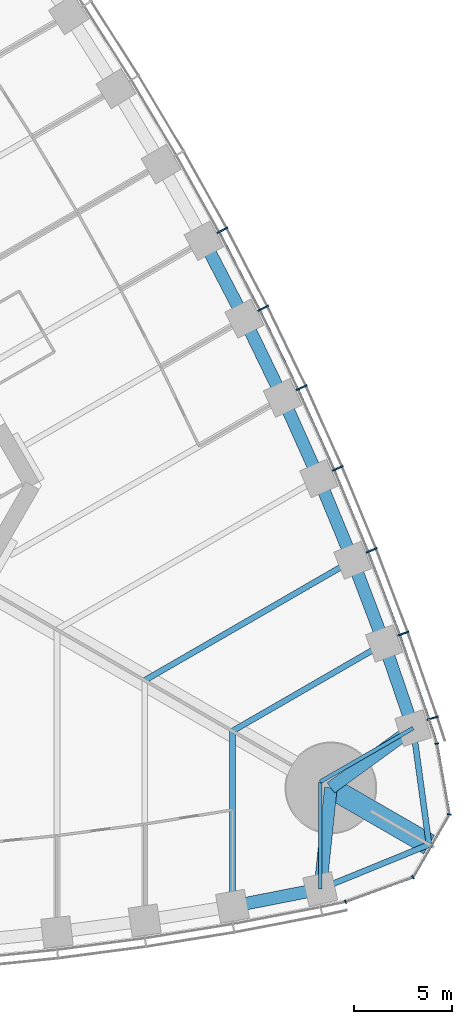
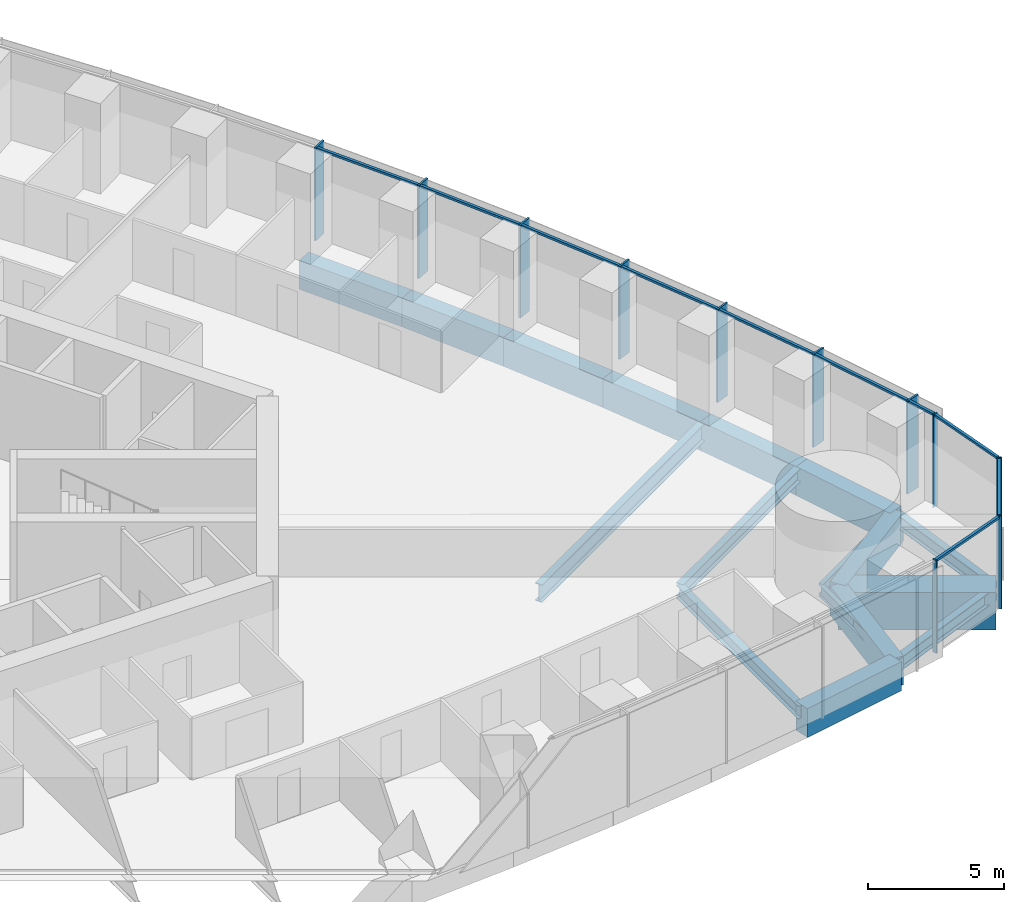
# One storey, part 6 of 19: 21 members, 17 beams, 2 elements without a shape of their own.
"""IFC4 building model written with IfcOpenShell, lengths in metres."""

from ifc_helpers import new_model, si_unit, direction, frame, origin, origin_2d, place, context, subcontext, project, spatial, rectangle, i_section, extrude, material, material_profile, profile_set, type_object, element, aggregate, save


model = new_model("IFC4")

# Units and contexts
model_context = context("Model", 3, precision=1e-05, world=origin(), true_north=direction((0.0, 1.0)))
body_context = subcontext(model_context, "Body", "Model", "MODEL_VIEW")
ifc_project = project(units=[si_unit("LENGTHUNIT", "METRE"), si_unit("AREAUNIT", "SQUARE_METRE"), si_unit("VOLUMEUNIT", "CUBIC_METRE"), si_unit("PLANEANGLEUNIT", "RADIAN"), si_unit("MASSUNIT", "GRAM", prefix="KILO")], contexts=[model_context])

# Site, building, storey
site_placement = place(None, origin())
site = spatial("IfcSite", under=ifc_project, at=site_placement, CompositionType="ELEMENT")
building_placement = place(site_placement, origin())
building = spatial("IfcBuilding", under=site, at=building_placement, Name="Trefoil Bronze Tower", CompositionType="ELEMENT")
storey_placement = place(building_placement, frame((0.0, 0.0, 45.89990234375)))
storey = spatial("IfcBuildingStorey", under=building, at=storey_placement, Name="L10", CompositionType="ELEMENT", Elevation=45.89990234375)

# Curtain wall, members
ifc_material_1 = material(Name="Tinted solar-control glass", Category="glass")
curtain_wall_type_1 = type_object("IfcCurtainWallType", Name="Bronze office curtain wall", PredefinedType="USERDEFINED", material=ifc_material_1)
curtain_wall_1_placement = place(storey_placement, origin())
curtain_wall_1 = element("IfcCurtainWall", 1, at=curtain_wall_1_placement, inside=storey, type_object=curtain_wall_type_1, Name="CW-A L10 F2", ObjectType="CURTAIN WALL", PredefinedType="USERDEFINED")
ifc_material_2 = material(Name="Bronze-finish aluminium", Category="aluminium")
ifc_material_profile_1 = material_profile(ifc_material_2, rectangle(XDim=0.60009765625, YDim=0.080078125, at=origin_2d()), Name="CW-A mullion")
ifc_profile_set_1 = profile_set([ifc_material_profile_1], Name="Bronze-finish aluminium")
member_type_1 = type_object("IfcMemberType", Name="Bronze office curtain wall mullion", PredefinedType="MULLION", material=ifc_profile_set_1)
member_1_placement = place(storey_placement, frame((37.265869140625, -14.92626953125, 0.0), z_axis=(0.0, 0.0, 1.0), x_axis=(-0.947850592929, -0.318715003543, 0.0)))
member_1 = element("IfcMember", 2, at=member_1_placement, type_object=member_type_1, Name="CW-A L10 F2 mullion 2", PredefinedType="MULLION", context=body_context, shape_type="SweptSolid", body=[
    extrude(rectangle(XDim=0.60009765625, YDim=0.080078125, at=origin_2d()), origin(), (0.0, 0.0, 1.0), 4.18017578125),
])
member_2_placement = place(storey_placement, frame((35.761962890625, -10.590087890625, 0.0), z_axis=(0.0, 0.0, 1.0), x_axis=(-0.939860248316, -0.341559238839, 0.0)))
member_2 = element("IfcMember", 3, at=member_2_placement, type_object=member_type_1, Name="CW-A L10 F2 mullion 3", PredefinedType="MULLION", context=body_context, shape_type="SweptSolid", body=[
    extrude(rectangle(XDim=0.60009765625, YDim=0.080078125, at=origin_2d()), origin(), (0.0, 0.0, 1.0), 4.18017578125),
])
member_3_placement = place(storey_placement, frame((34.138916015625, -6.32080078125, 0.0), z_axis=(0.0, 0.0, 1.0), x_axis=(-0.929413605838, -0.369039766534, 0.0)))
member_3 = element("IfcMember", 4, at=member_3_placement, type_object=member_type_1, Name="CW-A L10 F2 mullion 4", PredefinedType="MULLION", context=body_context, shape_type="SweptSolid", body=[
    extrude(rectangle(XDim=0.60009765625, YDim=0.080078125, at=origin_2d()), origin(), (0.0, 0.0, 1.0), 4.18017578125),
])
member_4_placement = place(storey_placement, frame((32.39892578125, -2.119384765625, 0.0), z_axis=(0.0, 0.0, 1.0), x_axis=(-0.918213748442, -0.396085233469, 0.0)))
member_4 = element("IfcMember", 5, at=member_4_placement, type_object=member_type_1, Name="CW-A L10 F2 mullion 5", PredefinedType="MULLION", context=body_context, shape_type="SweptSolid", body=[
    extrude(rectangle(XDim=0.60009765625, YDim=0.080078125, at=origin_2d()), origin(), (0.0, 0.0, 1.0), 4.18017578125),
])
member_5_placement = place(storey_placement, frame((30.543212890625, 2.015380859375, 0.0), z_axis=(0.0, 0.0, 1.0), x_axis=(-0.906269346572, -0.422700687798, 0.0)))
member_5 = element("IfcMember", 6, at=member_5_placement, type_object=member_type_1, Name="CW-A L10 F2 mullion 6", PredefinedType="MULLION", context=body_context, shape_type="SweptSolid", body=[
    extrude(rectangle(XDim=0.60009765625, YDim=0.080078125, at=origin_2d()), origin(), (0.0, 0.0, 1.0), 4.18017578125),
])
member_6_placement = place(storey_placement, frame((28.57275390625, 6.084228515625, 0.0), z_axis=(0.0, 0.0, 1.0), x_axis=(-0.893587025891, -0.448889994497, 0.0)))
member_6 = element("IfcMember", 7, at=member_6_placement, type_object=member_type_1, Name="CW-A L10 F2 mullion 7", PredefinedType="MULLION", context=body_context, shape_type="SweptSolid", body=[
    extrude(rectangle(XDim=0.60009765625, YDim=0.080078125, at=origin_2d()), origin(), (0.0, 0.0, 1.0), 4.18017578125),
])
member_7_placement = place(storey_placement, frame((26.488525390625, 10.0869140625, 0.0), z_axis=(0.0, 0.0, 1.0), x_axis=(-0.880171454588, -0.474655886437, 0.0)))
member_7 = element("IfcMember", 8, at=member_7_placement, type_object=member_type_1, Name="CW-A L10 F2 mullion 8", PredefinedType="MULLION", context=body_context, shape_type="SweptSolid", body=[
    extrude(rectangle(XDim=0.60009765625, YDim=0.080078125, at=origin_2d()), origin(), (0.0, 0.0, 1.0), 4.18017578125),
])
ifc_material_3 = material(Name="Bronze-finish aluminium", Category="aluminium")
ifc_material_profile_2 = material_profile(ifc_material_3, rectangle(XDim=0.1201171875, YDim=0.10009765625, at=origin_2d()), Name="CW-A transom")
ifc_profile_set_2 = profile_set([ifc_material_profile_2], Name="Bronze-finish aluminium")
member_type_2 = type_object("IfcMemberType", Name="Bronze office curtain wall transom", PredefinedType="USERDEFINED", material=ifc_profile_set_2)
member_8_placement = place(storey_placement, frame((37.4638671875, -16.1796875, 4.130126953125), z_axis=(-0.309624219148, 0.950859002648, 0.0), x_axis=(-0.950859002648, -0.309624219148, 0.0)))
member_8 = element("IfcMember", 9, at=member_8_placement, type_object=member_type_2, Name="CW-A L10 F2 transom 1", ObjectType="TRANSOM", PredefinedType="USERDEFINED", context=body_context, shape_type="SweptSolid", body=[
    extrude(rectangle(XDim=0.1201171875, YDim=0.10009765625, at=origin_2d()), origin(), (0.0, 0.0, 1.0), 1.21044921875),
])
member_9_placement = place(storey_placement, frame((37.06298828125, -14.951171875, 4.130126953125), z_axis=(-0.327689728493, 0.944785394595, 0.0), x_axis=(-0.944785394595, -0.327689728493, 0.0)))
member_9 = element("IfcMember", 10, at=member_9_placement, type_object=member_type_2, Name="CW-A L10 F2 transom 2", ObjectType="TRANSOM", PredefinedType="USERDEFINED", context=body_context, shape_type="SweptSolid", body=[
    extrude(rectangle(XDim=0.1201171875, YDim=0.10009765625, at=origin_2d()), origin(), (0.0, 0.0, 1.0), 4.502197265625),
])
member_10_placement = place(storey_placement, frame((35.559326171875, -10.61962890625, 4.130126953125), z_axis=(-0.355367327392, 0.934726731522, 0.0), x_axis=(-0.934726731522, -0.355367327392, 0.0)))
member_10 = element("IfcMember", 11, at=member_10_placement, type_object=member_type_2, Name="CW-A L10 F2 transom 3", ObjectType="TRANSOM", PredefinedType="USERDEFINED", context=body_context, shape_type="SweptSolid", body=[
    extrude(rectangle(XDim=0.1201171875, YDim=0.10009765625, at=origin_2d()), origin(), (0.0, 0.0, 1.0), 4.478515625),
])
member_11_placement = place(storey_placement, frame((33.937255859375, -6.3564453125, 4.130126953125), z_axis=(-0.382616149417, 0.923907399151, 0.0), x_axis=(-0.923907399151, -0.382616149417, 0.0)))
member_11 = element("IfcMember", 12, at=member_11_placement, type_object=member_type_2, Name="CW-A L10 F2 transom 4", ObjectType="TRANSOM", PredefinedType="USERDEFINED", context=body_context, shape_type="SweptSolid", body=[
    extrude(rectangle(XDim=0.1201171875, YDim=0.10009765625, at=origin_2d()), origin(), (0.0, 0.0, 1.0), 4.458984375),
])
member_12_placement = place(storey_placement, frame((32.1982421875, -2.16064453125, 4.130126953125), z_axis=(-0.409459746452, 0.912328184392, 0.0), x_axis=(-0.912328184392, -0.409459746452, 0.0)))
member_12 = element("IfcMember", 13, at=member_12_placement, type_object=member_type_2, Name="CW-A L10 F2 transom 5", ObjectType="TRANSOM", PredefinedType="USERDEFINED", context=body_context, shape_type="SweptSolid", body=[
    extrude(rectangle(XDim=0.1201171875, YDim=0.10009765625, at=origin_2d()), origin(), (0.0, 0.0, 1.0), 4.443359375),
])
member_13_placement = place(storey_placement, frame((30.34375, 1.96826171875, 4.130126953125), z_axis=(-0.435851763293, 0.900018466719, 0.0), x_axis=(-0.900018466719, -0.435851763293, 0.0)))
member_13 = element("IfcMember", 14, at=member_13_placement, type_object=member_type_2, Name="CW-A L10 F2 transom 6", ObjectType="TRANSOM", PredefinedType="USERDEFINED", context=body_context, shape_type="SweptSolid", body=[
    extrude(rectangle(XDim=0.1201171875, YDim=0.10009765625, at=origin_2d()), origin(), (0.0, 0.0, 1.0), 4.431884765625),
])
member_14_placement = place(storey_placement, frame((28.375, 6.031005859375, 4.130126953125), z_axis=(-0.461809621225, 0.886979071762, 0.0), x_axis=(-0.886979071762, -0.461809621225, 0.0)))
member_14 = element("IfcMember", 15, at=member_14_placement, type_object=member_type_2, Name="CW-A L10 F2 transom 7", ObjectType="TRANSOM", PredefinedType="USERDEFINED", context=body_context, shape_type="SweptSolid", body=[
    extrude(rectangle(XDim=0.1201171875, YDim=0.10009765625, at=origin_2d()), origin(), (0.0, 0.0, 1.0), 4.42431640625),
])
aggregate(curtain_wall_1, [member_1, member_2, member_3, member_4, member_5, member_6, member_7, member_8, member_9, member_10, member_11, member_12, member_13, member_14])

ifc_material_4 = material(Name="Tinted solar-control glass", Category="glass")
curtain_wall_type_2 = type_object("IfcCurtainWallType", Name="Bronze rounded corner curtain wall", PredefinedType="USERDEFINED", material=ifc_material_4)
curtain_wall_2_placement = place(storey_placement, origin())
curtain_wall_2 = element("IfcCurtainWall", 16, at=curtain_wall_2_placement, inside=storey, type_object=curtain_wall_type_2, Name="CW-B L10 K1", ObjectType="CURTAIN WALL", PredefinedType="USERDEFINED")
ifc_material_5 = material(Name="Bronze-finish aluminium", Category="aluminium")
ifc_material_profile_3 = material_profile(ifc_material_5, rectangle(XDim=0.199951171875, YDim=0.06005859375, at=origin_2d()), Name="CW-B mullion")
ifc_profile_set_3 = profile_set([ifc_material_profile_3], Name="Bronze-finish aluminium")
member_type_3 = type_object("IfcMemberType", Name="Bronze rounded corner curtain wall mullion", PredefinedType="MULLION", material=ifc_profile_set_3)
member_15_placement = place(storey_placement, frame((32.796630859375, -24.3427734375, 0.0), z_axis=(0.0, 0.0, 1.0), x_axis=(-0.342020143326, 0.939692620786, 0.0)))
member_15 = element("IfcMember", 17, at=member_15_placement, type_object=member_type_3, Name="CW-B L10 K1 mullion 1", PredefinedType="MULLION", context=body_context, shape_type="SweptSolid", body=[
    extrude(rectangle(XDim=0.199951171875, YDim=0.06005859375, at=origin_2d()), origin(), (0.0, 0.0, 1.0), 4.18017578125),
])
member_16_placement = place(storey_placement, frame((36.2548828125, -23.07763671875, 0.0), z_axis=(0.0, 0.0, 1.0), x_axis=(-0.642787609687, 0.766044443119, 0.0)))
member_16 = element("IfcMember", 18, at=member_16_placement, type_object=member_type_3, Name="CW-B L10 K1 mullion 2", PredefinedType="MULLION", context=body_context, shape_type="SweptSolid", body=[
    extrude(rectangle(XDim=0.199951171875, YDim=0.06005859375, at=origin_2d()), origin(), (0.0, 0.0, 1.0), 4.18017578125),
])
member_17_placement = place(storey_placement, frame((38.11328125, -19.85888671875, 0.0), z_axis=(0.0, 0.0, 1.0), x_axis=(-0.984807753012, 0.173648177667, 0.0)))
member_17 = element("IfcMember", 19, at=member_17_placement, type_object=member_type_3, Name="CW-B L10 K1 mullion 3", PredefinedType="MULLION", context=body_context, shape_type="SweptSolid", body=[
    extrude(rectangle(XDim=0.199951171875, YDim=0.06005859375, at=origin_2d()), origin(), (0.0, 0.0, 1.0), 4.18017578125),
])
member_18_placement = place(storey_placement, frame((37.479736328125, -16.2314453125, 0.0), z_axis=(0.0, 0.0, 1.0), x_axis=(-0.984807753012, -0.173648177667, 0.0)))
member_18 = element("IfcMember", 20, at=member_18_placement, type_object=member_type_3, Name="CW-B L10 K1 mullion 4", PredefinedType="MULLION", context=body_context, shape_type="SweptSolid", body=[
    extrude(rectangle(XDim=0.199951171875, YDim=0.06005859375, at=origin_2d()), origin(), (0.0, 0.0, 1.0), 4.18017578125),
])
ifc_material_6 = material(Name="Bronze-finish aluminium", Category="aluminium")
ifc_material_profile_4 = material_profile(ifc_material_6, rectangle(XDim=0.1201171875, YDim=0.10009765625, at=origin_2d()), Name="CW-B transom")
ifc_profile_set_4 = profile_set([ifc_material_profile_4], Name="Bronze-finish aluminium")
member_type_4 = type_object("IfcMemberType", Name="Bronze rounded corner curtain wall transom", PredefinedType="USERDEFINED", material=ifc_profile_set_4)
member_19_placement = place(storey_placement, frame((32.82470703125, -24.33251953125, 4.130126953125), z_axis=(0.939688092095, 0.342032585545, 0.0), x_axis=(-0.342032585545, 0.939688092095, 0.0)))
member_19 = element("IfcMember", 21, at=member_19_placement, type_object=member_type_4, Name="CW-B L10 K1 transom 1", ObjectType="TRANSOM", PredefinedType="USERDEFINED", context=body_context, shape_type="SweptSolid", body=[
    extrude(rectangle(XDim=0.1201171875, YDim=0.10009765625, at=origin_2d()), origin(), (0.0, 0.0, 1.0), 3.588134765625),
])
member_20_placement = place(storey_placement, frame((36.292236328125, -23.02490234375, 4.130126953125), z_axis=(0.500024788772, 0.866011091507, 0.0), x_axis=(-0.866011091507, 0.500024788772, 0.0)))
member_20 = element("IfcMember", 22, at=member_20_placement, type_object=member_type_4, Name="CW-B L10 K1 transom 2", ObjectType="TRANSOM", PredefinedType="USERDEFINED", context=body_context, shape_type="SweptSolid", body=[
    extrude(rectangle(XDim=0.1201171875, YDim=0.10009765625, at=origin_2d()), origin(), (0.0, 0.0, 1.0), 3.588134765625),
])
member_21_placement = place(storey_placement, frame((38.10791015625, -19.794677734375, 4.130126953125), z_axis=(-0.17363783606, 0.984809576461, 0.0), x_axis=(-0.984809576461, -0.17363783606, 0.0)))
member_21 = element("IfcMember", 23, at=member_21_placement, type_object=member_type_4, Name="CW-B L10 K1 transom 3", ObjectType="TRANSOM", PredefinedType="USERDEFINED", context=body_context, shape_type="SweptSolid", body=[
    extrude(rectangle(XDim=0.1201171875, YDim=0.10009765625, at=origin_2d()), origin(), (0.0, 0.0, 1.0), 3.588134765625),
])
aggregate(curtain_wall_2, [member_15, member_16, member_17, member_18, member_19, member_20, member_21])

# Beams
ifc_material_7 = material(Name="Concrete B80", Category="concrete")
ifc_material_profile_5 = material_profile(ifc_material_7, rectangle(XDim=1.10009765625, YDim=1.699951171875, at=origin_2d()), Name="RC 1100x1700")
ifc_profile_set_5 = profile_set([ifc_material_profile_5], Name="Concrete B80")
beam_type_1 = type_object("IfcBeamType", Name="Corner cantilever RC 1100x1700", PredefinedType="BEAM", material=ifc_profile_set_5)
beam_1_placement = place(storey_placement, frame((32.04296875, -18.5, -1.0498046875), z_axis=(0.866030348588, -0.499991435252, 0.0), x_axis=(0.499991435252, 0.866030348588, 0.0)))
element("IfcBeam", 24, at=beam_1_placement, inside=storey, type_object=beam_type_1, Name="Corner cantilever K1 L10", PredefinedType="BEAM", context=body_context, shape_type="SweptSolid", body=[
    extrude(rectangle(XDim=1.10009765625, YDim=1.699951171875, at=origin_2d()), origin(), (0.0, 0.0, 1.0), 5.81396484375),
])
ifc_material_8 = material(Name="Steel C355", Category="steel")
ifc_material_profile_6 = material_profile(ifc_material_8, i_section(OverallWidth=0.300048828125, OverallDepth=0.60009765625, WebThickness=0.015380859375, FlangeThickness=0.030029296875, FilletRadius=0.027099609375, at=origin_2d()), Name="HEB 600")
ifc_profile_set_6 = profile_set([ifc_material_profile_6], Name="Steel C355")
beam_type_2 = type_object("IfcBeamType", Name="Corner edge beam HEB 600", PredefinedType="BEAM", material=ifc_profile_set_6)
beam_2_placement = place(storey_placement, frame((31.5, -23.684814453125, -0.5), z_axis=(0.925786874353, 0.378045848114, 0.0), x_axis=(-0.378045848114, 0.925786874353, 0.0)))
element("IfcBeam", 25, at=beam_2_placement, inside=storey, type_object=beam_type_2, Name="Corner edge beam F1A L10", PredefinedType="BEAM", context=body_context, shape_type="SweptSolid", body=[
    extrude(i_section(OverallWidth=0.300048828125, OverallDepth=0.60009765625, WebThickness=0.015380859375, FlangeThickness=0.030029296875, FilletRadius=0.027099609375, at=origin_2d()), origin(), (0.0, 0.0, 1.0), 6.025390625),
])
beam_3_placement = place(storey_placement, frame((36.26171875, -15.4375, -0.5), z_axis=(0.13550196505, -0.990777077585, 0.0), x_axis=(0.990777077585, 0.13550196505, 0.0)))
element("IfcBeam", 26, at=beam_3_placement, inside=storey, type_object=beam_type_2, Name="Corner edge beam F2B L10", PredefinedType="BEAM", context=body_context, shape_type="SweptSolid", body=[
    extrude(i_section(OverallWidth=0.300048828125, OverallDepth=0.60009765625, WebThickness=0.015380859375, FlangeThickness=0.030029296875, FilletRadius=0.027099609375, at=origin_2d()), origin(), (0.0, 0.0, 1.0), 6.025146484375),
])
ifc_material_9 = material(Name="Concrete B80", Category="concrete")
ifc_material_profile_7 = material_profile(ifc_material_9, rectangle(XDim=0.64990234375, YDim=1.300048828125, at=origin_2d()), Name="RC 650x1300")
ifc_profile_set_7 = profile_set([ifc_material_profile_7], Name="Concrete B80")
beam_type_3 = type_object("IfcBeamType", Name="End spandrel beam RC 650x1300", PredefinedType="SPANDREL", material=ifc_profile_set_7)
for number, where, z_axis, x_axis, name in (
    (27, (31.5, -23.684814453125, -0.849853515625), (0.104153327908, 0.994561252154, 0.0), (-0.994561252154, 0.104153327908, 0.0), "Spandrel F1.16 L10"),
    (28, (32.04296875, -18.5, -0.849853515625), (0.809254211267, 0.587458612624, 0.0), (-0.587458612624, 0.809254211267, 0.0), "Spandrel F2.1 L10"),
):
    element("IfcBeam", number, at=place(storey_placement, frame(where, z_axis=z_axis, x_axis=x_axis)), inside=storey, type_object=beam_type_3, Name=name, PredefinedType="SPANDREL", context=body_context, shape_type="SweptSolid", body=[
        extrude(rectangle(XDim=0.64990234375, YDim=1.300048828125, at=origin_2d()), origin(), (0.0, 0.0, 1.0), 5.213134765625),
    ])
ifc_material_10 = material(Name="Steel C355", Category="steel")
ifc_material_profile_8 = material_profile(ifc_material_10, i_section(OverallWidth=0.300048828125, OverallDepth=0.590087890625, WebThickness=0.012939453125, FlangeThickness=0.02490234375, FilletRadius=0.027099609375, at=origin_2d()), Name="HEA 600")
ifc_profile_set_8 = profile_set([ifc_material_profile_8], Name="Steel C355")
beam_type_4 = type_object("IfcBeamType", Name="Floor beam HEA 600", PredefinedType="BEAM", material=ifc_profile_set_8)
for number, where, z_axis, x_axis, name in (
    (29, (27.0, -24.56787109375, -0.494873046875), (0.0, 1.0, 0.0), (-1.0, 0.0, 0.0), "Floor beam F1/+6 L10"),
    (30, (34.7763671875, -11.0986328125, -0.494873046875), (-0.866022587327, -0.500004878216, 0.0), (0.500004878216, -0.866022587327, 0.0), "Floor beam F2/-6 L10"),
):
    element("IfcBeam", number, at=place(storey_placement, frame(where, z_axis=z_axis, x_axis=x_axis)), inside=storey, type_object=beam_type_4, Name=name, PredefinedType="BEAM", context=body_context, shape_type="SweptSolid", body=[
        extrude(i_section(OverallWidth=0.300048828125, OverallDepth=0.590087890625, WebThickness=0.012939453125, FlangeThickness=0.02490234375, FilletRadius=0.027099609375, at=origin_2d()), origin(), (0.0, 0.0, 1.0), 8.9794921875),
    ])
ifc_material_11 = material(Name="Steel C355", Category="steel")
ifc_material_profile_9 = material_profile(ifc_material_11, i_section(OverallWidth=0.300048828125, OverallDepth=0.800048828125, WebThickness=0.017578125, FlangeThickness=0.032958984375, FilletRadius=0.030029296875, at=origin_2d()), Name="HEB 800")
ifc_profile_set_9 = profile_set([ifc_material_profile_9], Name="Steel C355")
beam_type_5 = type_object("IfcBeamType", Name="Floor beam HEB 800", PredefinedType="BEAM", material=ifc_profile_set_9)
beam_4_placement = place(storey_placement, frame((33.159912109375, -6.8359375, -0.599853515625), z_axis=(-0.866024070878, -0.500002308654, 0.0), x_axis=(0.500002308654, -0.866024070878, 0.0)))
element("IfcBeam", 31, at=beam_4_placement, inside=storey, type_object=beam_type_5, Name="Floor beam F2/-5 L10", PredefinedType="BEAM", context=body_context, shape_type="SweptSolid", body=[
    extrude(i_section(OverallWidth=0.300048828125, OverallDepth=0.800048828125, WebThickness=0.017578125, FlangeThickness=0.032958984375, FilletRadius=0.030029296875, at=origin_2d()), origin(), (0.0, 0.0, 1.0), 12.30908203125),
])
ifc_material_12 = material(Name="Steel C355", Category="steel")
ifc_material_profile_10 = material_profile(ifc_material_12, i_section(OverallWidth=0.199951171875, OverallDepth=0.5, WebThickness=0.01025390625, FlangeThickness=0.01611328125, FilletRadius=0.02099609375, at=origin_2d()), Name="IPE 500")
ifc_profile_set_10 = profile_set([ifc_material_profile_10], Name="Steel C355")
beam_type_6 = type_object("IfcBeamType", Name="Floor beam IPE 500", PredefinedType="BEAM", material=ifc_profile_set_10)
for number, where, z_axis, x_axis, name in (
    (32, (31.5, -23.684814453125, -0.449951171875), (0.0, 1.0, 0.0), (-1.0, 0.0, 0.0), "Floor beam F1/+7 L10"),
    (33, (36.26171875, -15.4375, -0.449951171875), (-0.866037702141, -0.499978698016, 0.0), (0.499978698016, -0.866037702141, 0.0), "Floor beam F2/-7 L10"),
):
    element("IfcBeam", number, at=place(storey_placement, frame(where, z_axis=z_axis, x_axis=x_axis)), inside=storey, type_object=beam_type_6, Name=name, PredefinedType="BEAM", context=body_context, shape_type="SweptSolid", body=[
        extrude(i_section(OverallWidth=0.199951171875, OverallDepth=0.5, WebThickness=0.01025390625, FlangeThickness=0.01611328125, FilletRadius=0.02099609375, at=origin_2d()), origin(), (0.0, 0.0, 1.0), 5.498291015625),
    ])
ifc_material_13 = material(Name="Concrete B80", Category="concrete")
ifc_material_profile_11 = material_profile(ifc_material_13, rectangle(XDim=0.64990234375, YDim=1.300048828125, at=origin_2d()), Name="RC 650x1300")
ifc_profile_set_11 = profile_set([ifc_material_profile_11], Name="Concrete B80")
beam_type_7 = type_object("IfcBeamType", Name="Spandrel beam RC 650x1300", PredefinedType="SPANDREL", material=ifc_profile_set_11)
beam_5_placement = place(storey_placement, frame((27.0, -24.56787109375, -0.849853515625), z_axis=(0.981284764092, 0.192562228283, 0.0), x_axis=(-0.192562228283, 0.981284764092, 0.0)))
element("IfcBeam", 34, at=beam_5_placement, inside=storey, type_object=beam_type_7, Name="Spandrel F1.15 L10", PredefinedType="SPANDREL", context=body_context, shape_type="SweptSolid", body=[
    extrude(rectangle(XDim=0.64990234375, YDim=1.300048828125, at=origin_2d()), origin(), (0.0, 0.0, 1.0), 4.5859375),
])
beam_6_placement = place(storey_placement, frame((36.26171875, -15.4375, -0.849853515625), z_axis=(-0.323883319148, 0.946097032855, 0.0), x_axis=(-0.946097032855, -0.323883319148, 0.0)))
element("IfcBeam", 35, at=beam_6_placement, inside=storey, type_object=beam_type_7, Name="Spandrel F2.2 L10", PredefinedType="SPANDREL", context=body_context, shape_type="SweptSolid", body=[
    extrude(rectangle(XDim=0.64990234375, YDim=1.300048828125, at=origin_2d()), origin(), (0.0, 0.0, 1.0), 4.586181640625),
])
beam_7_placement = place(storey_placement, frame((34.7763671875, -11.0986328125, -0.849853515625), z_axis=(-0.354571899767, 0.935028752443, 0.0), x_axis=(-0.935028752443, -0.354571899767, 0.0)))
element("IfcBeam", 36, at=beam_7_placement, inside=storey, type_object=beam_type_7, Name="Spandrel F2.3 L10", PredefinedType="SPANDREL", context=body_context, shape_type="SweptSolid", body=[
    extrude(rectangle(XDim=0.64990234375, YDim=1.300048828125, at=origin_2d()), origin(), (0.0, 0.0, 1.0), 4.558837890625),
])
beam_8_placement = place(storey_placement, frame((33.159912109375, -6.8359375, -0.849853515625), z_axis=(-0.382020825144, 0.924153715113, 0.0), x_axis=(-0.924153715113, -0.382020825144, 0.0)))
element("IfcBeam", 37, at=beam_8_placement, inside=storey, type_object=beam_type_7, Name="Spandrel F2.4 L10", PredefinedType="SPANDREL", context=body_context, shape_type="SweptSolid", body=[
    extrude(rectangle(XDim=0.64990234375, YDim=1.300048828125, at=origin_2d()), origin(), (0.0, 0.0, 1.0), 4.539306640625),
])
beam_9_placement = place(storey_placement, frame((31.42578125, -2.640869140625, -0.849853515625), z_axis=(-0.408945873044, 0.912558640812, 0.0), x_axis=(-0.912558640812, -0.408945873044, 0.0)))
element("IfcBeam", 38, at=beam_9_placement, inside=storey, type_object=beam_type_7, Name="Spandrel F2.5 L10", PredefinedType="SPANDREL", context=body_context, shape_type="SweptSolid", body=[
    extrude(rectangle(XDim=0.64990234375, YDim=1.300048828125, at=origin_2d()), origin(), (0.0, 0.0, 1.0), 4.5234375),
])
beam_10_placement = place(storey_placement, frame((29.575927734375, 1.487060546875, -0.849853515625), z_axis=(-0.435510013583, 0.900183885697, 0.0), x_axis=(-0.900183885697, -0.435510013583, 0.0)))
element("IfcBeam", 39, at=beam_10_placement, inside=storey, type_object=beam_type_7, Name="Spandrel F2.6 L10", PredefinedType="SPANDREL", context=body_context, shape_type="SweptSolid", body=[
    extrude(rectangle(XDim=0.64990234375, YDim=1.300048828125, at=origin_2d()), origin(), (0.0, 0.0, 1.0), 4.51220703125),
])
beam_11_placement = place(storey_placement, frame((27.61083984375, 5.548828125, -0.849853515625), z_axis=(-0.461637716615, 0.887068553495, 0.0), x_axis=(-0.887068553495, -0.461637716615, 0.0)))
element("IfcBeam", 40, at=beam_11_placement, inside=storey, type_object=beam_type_7, Name="Spandrel F2.7 L10", PredefinedType="SPANDREL", context=body_context, shape_type="SweptSolid", body=[
    extrude(rectangle(XDim=0.64990234375, YDim=1.300048828125, at=origin_2d()), origin(), (0.0, 0.0, 1.0), 4.50439453125),
])

save(model, "model.ifc")
